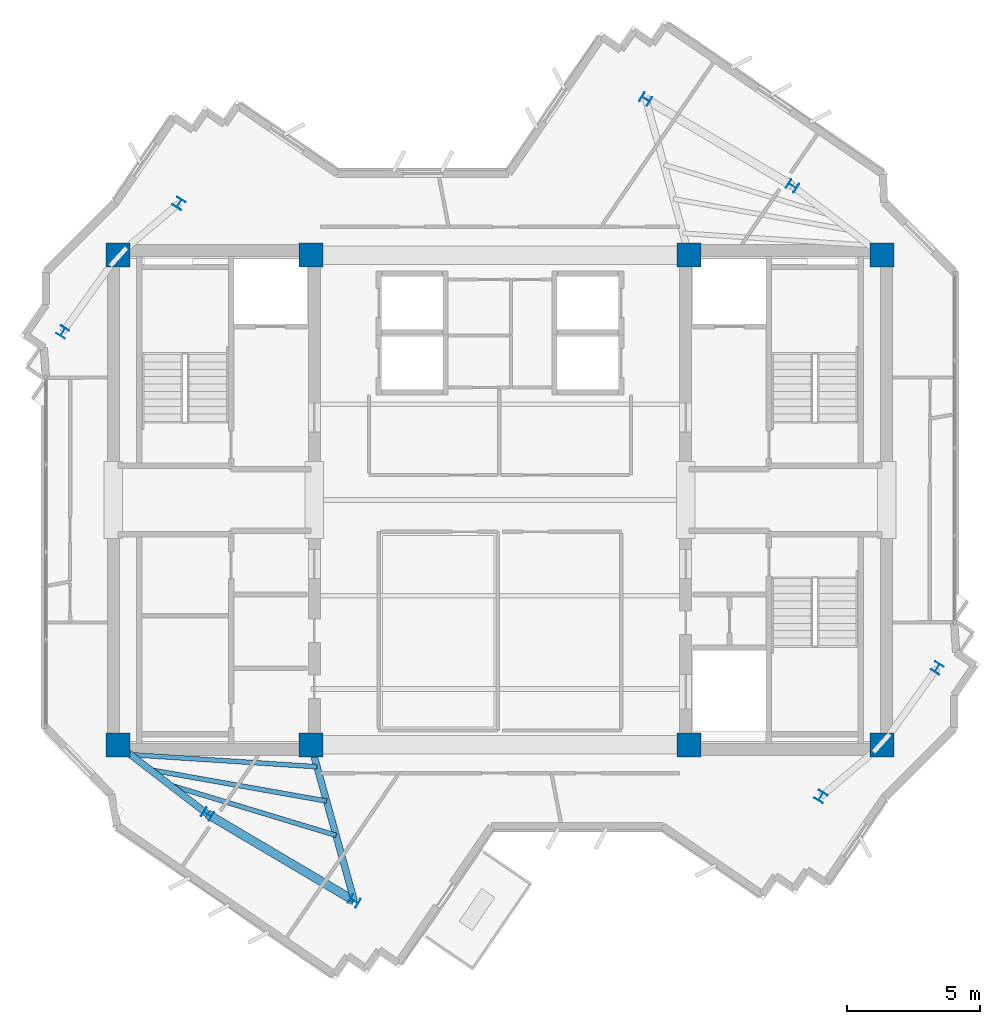
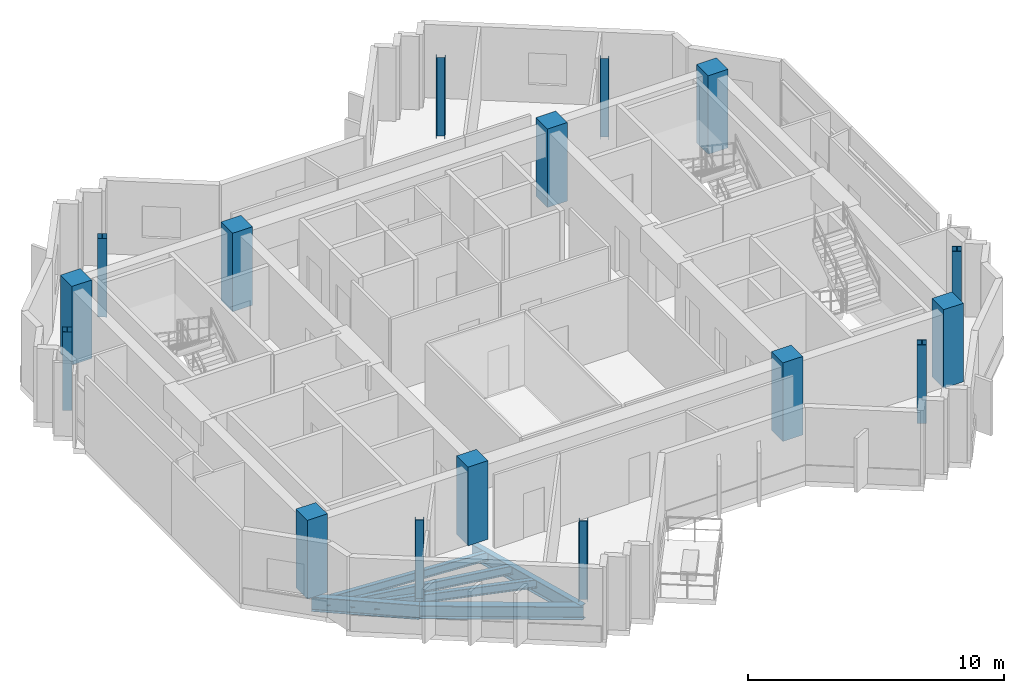
# One storey, part 1 of 11: 16 columns, 6 beams.
"""IFC4 building model written with IfcOpenShell, lengths in metres."""

from ifc_helpers import new_model, si_unit, direction, frame, origin, origin_2d, place, context, subcontext, project, spatial, rectangle, i_section, extrude, source, transform, mapped, material, material_profile, profile_set, type_object, element, save


model = new_model("IFC4")

# Units and contexts
model_context = context("Model", 3, precision=1e-05, world=origin(), true_north=direction((0.0, 1.0)))
body_context = subcontext(model_context, "Body", "Model", "MODEL_VIEW")
ifc_project = project(units=[si_unit("LENGTHUNIT", "METRE"), si_unit("AREAUNIT", "SQUARE_METRE"), si_unit("VOLUMEUNIT", "CUBIC_METRE"), si_unit("PLANEANGLEUNIT", "RADIAN"), si_unit("MASSUNIT", "GRAM", prefix="KILO")], contexts=[model_context])

# Site, building, storey
site_placement = place(None, origin())
site = spatial("IfcSite", under=ifc_project, at=site_placement, CompositionType="ELEMENT")
building_placement = place(site_placement, origin())
building = spatial("IfcBuilding", under=site, at=building_placement, Name="Zahravan Cultural Tower", CompositionType="ELEMENT")
storey_placement = place(building_placement, frame((0.0, 0.0, 338.550048828125)))
storey = spatial("IfcBuildingStorey", under=building, at=storey_placement, Name="L82", CompositionType="ELEMENT", Elevation=338.550048828125)

# Columns
ifc_material_1 = material(Name="Concrete C50/60", Category="concrete")
ifc_material_profile_1 = material_profile(ifc_material_1, rectangle(XDim=0.89990234375, YDim=0.89990234375, at=origin_2d()), Name="RC900X900")
ifc_profile_set_1 = profile_set([ifc_material_profile_1], Name="Concrete C50/60")
column_type_1 = type_object("IfcColumnType", Name="COL-RC900", PredefinedType="COLUMN", material=ifc_profile_set_1)
shared_shape_1 = source(origin(), body_context, "Body", "SweptSolid", [
    extrude(rectangle(XDim=0.89990234375, YDim=0.89990234375, at=origin_2d()), origin(), (0.0, 0.0, 1.0), 3.75),
])
for number, where, z_axis, x_axis, name in (
    (1, (21.64990234375, 17.800048828125, 0.0), (0.0, 0.0, 1.0), (1.0, 0.0, 0.0), "L82 Column CC-W1"),
    (2, (28.89990234375, 17.800048828125, 0.0), (0.0, 0.0, 1.0), (1.0, 0.0, 0.0), "L82 Column CC-W2"),
    (3, (21.64990234375, 36.199951171875, 0.0), (0.0, 0.0, 1.0), (1.0, 0.0, 0.0), "L82 Column CC-W3"),
    (4, (28.89990234375, 36.199951171875, 0.0), (0.0, 0.0, 1.0), (1.0, 0.0, 0.0), "L82 Column CC-W4"),
    (5, (43.10009765625, 17.800048828125, 0.0), (0.0, 0.0, 1.0), (1.0, 0.0, 0.0), "L82 Column CC-E1"),
    (6, (50.35009765625, 17.800048828125, 0.0), (0.0, 0.0, 1.0), (1.0, 0.0, 0.0), "L82 Column CC-E2"),
    (7, (43.10009765625, 36.199951171875, 0.0), (0.0, 0.0, 1.0), (1.0, 0.0, 0.0), "L82 Column CC-E3"),
    (8, (50.35009765625, 36.199951171875, 0.0), (0.0, 0.0, 1.0), (1.0, 0.0, 0.0), "L82 Column CC-E4"),
):
    element("IfcColumn", number, at=place(storey_placement, frame(where, z_axis=z_axis, x_axis=x_axis)), inside=storey, type_object=column_type_1, Name=name, PredefinedType="COLUMN", context=body_context, shape_type="MappedRepresentation", body=[
        mapped(shared_shape_1, transform((0.0, 0.0, 0.0), x_axis=(1.0, 0.0, 0.0), y_axis=(0.0, 1.0, 0.0), z_axis=(0.0, 0.0, 1.0), scale=1.0)),
    ])
ifc_material_2 = material(Name="Steel ASTM A992 Grade 50", Category="steel")
ifc_material_profile_2 = material_profile(ifc_material_2, i_section(OverallWidth=0.368896484375, OverallDepth=0.35595703125, WebThickness=0.01123046875, FlangeThickness=0.01806640625, FilletRadius=0.01806640625, at=origin_2d()), Name="W14X90")
ifc_profile_set_2 = profile_set([ifc_material_profile_2], Name="Steel ASTM A992 Grade 50")
column_type_2 = type_object("IfcColumnType", Name="COL-W14X90", PredefinedType="COLUMN", material=ifc_profile_set_2)
shared_shape_2 = source(origin(), body_context, "Body", "SweptSolid", [
    extrude(i_section(OverallWidth=0.368896484375, OverallDepth=0.35595703125, WebThickness=0.01123046875, FlangeThickness=0.01806640625, FilletRadius=0.01806640625, at=origin_2d()), origin(), (0.0, 0.0, 1.0), 3.75),
])
for number, where, z_axis, x_axis, name in (
    (9, (46.98388671875, 38.7998046875, 0.0), (0.0, 0.0, 1.0), (0.522498564716, 0.852640164354, 0.0), "L82 Column Z4C-E1"),
    (10, (41.474853515625, 42.058349609375, 0.0), (0.0, 0.0, 1.0), (0.522498564716, 0.852640164354, 0.0), "L82 Column Z4C-E2"),
    (11, (23.944580078125, 38.140625, 0.0), (0.0, 0.0, 1.0), (-0.852640164354, 0.522498564716, 0.0), "L82 Column Z4C-N1"),
    (12, (19.577392578125, 33.310791015625, 0.0), (0.0, 0.0, 1.0), (-0.852640164354, 0.522498564716, 0.0), "L82 Column Z4C-N2"),
    (13, (25.01611328125, 15.2001953125, 0.0), (0.0, 0.0, 1.0), (0.522498564716, 0.852640164354, 0.0), "L82 Column Z4C-W1"),
    (14, (30.525146484375, 11.941650390625, 0.0), (0.0, 0.0, 1.0), (0.522498564716, 0.852640164354, 0.0), "L82 Column Z4C-W2"),
    (15, (48.055419921875, 15.859375, 0.0), (0.0, 0.0, 1.0), (-0.852640164354, 0.522498564716, 0.0), "L82 Column Z4C-S1"),
    (16, (52.422607421875, 20.689208984375, 0.0), (0.0, 0.0, 1.0), (-0.852640164354, 0.522498564716, 0.0), "L82 Column Z4C-S2"),
):
    element("IfcColumn", number, at=place(storey_placement, frame(where, z_axis=z_axis, x_axis=x_axis)), inside=storey, type_object=column_type_2, Name=name, PredefinedType="COLUMN", context=body_context, shape_type="MappedRepresentation", body=[
        mapped(shared_shape_2, transform((0.0, 0.0, 0.0), x_axis=(1.0, 0.0, 0.0), y_axis=(0.0, 1.0, 0.0), z_axis=(0.0, 0.0, 1.0), scale=1.0)),
    ])

# Beams
ifc_material_profile_3 = material_profile(ifc_material_2, i_section(OverallWidth=0.326904296875, OverallDepth=0.6220703125, WebThickness=0.015380859375, FlangeThickness=0.0244140625, FilletRadius=0.014892578125, at=origin_2d()), Name="W24X131")
ifc_profile_set_3 = profile_set([ifc_material_profile_3], Name="Steel ASTM A992 Grade 50")
beam_type_1 = type_object("IfcBeamType", Name="BM-SP-W24X131", PredefinedType="SPANDREL", material=ifc_profile_set_3)
shared_shape_3 = source(origin(), body_context, "Body", "SweptSolid", [
    extrude(i_section(OverallWidth=0.326904296875, OverallDepth=0.6220703125, WebThickness=0.015380859375, FlangeThickness=0.0244140625, FilletRadius=0.014892578125, at=origin_2d()), origin(), (0.0, 0.0, 1.0), 6.400634765625),
])
beam_1_placement = place(storey_placement, frame((25.01611328125, 15.2001953125, -0.56103515625), z_axis=(0.860706991833, -0.509100652337, 0.0), x_axis=(0.509100652337, 0.860706991833, 0.0)))
element("IfcBeam", 17, at=beam_1_placement, inside=storey, type_object=beam_type_1, Name="L82 Beam SP-L82-15", PredefinedType="SPANDREL", context=body_context, shape_type="MappedRepresentation", body=[
    mapped(shared_shape_3, transform((0.0, 0.0, 0.0), x_axis=(1.0, 0.0, 0.0), y_axis=(0.0, 1.0, 0.0), z_axis=(0.0, 0.0, 1.0), scale=1.0)),
])
ifc_material_profile_4 = material_profile(ifc_material_2, i_section(OverallWidth=0.177978515625, OverallDepth=0.406005859375, WebThickness=0.0078125, FlangeThickness=0.0126953125, FilletRadius=0.011962890625, at=origin_2d()), Name="W16X40")
ifc_profile_set_4 = profile_set([ifc_material_profile_4], Name="Steel ASTM A992 Grade 50")
beam_type_2 = type_object("IfcBeamType", Name="BM-J-W16X40", PredefinedType="JOIST", material=ifc_profile_set_4)
shared_shape_4 = source(origin(), body_context, "Body", "SweptSolid", [
    extrude(i_section(OverallWidth=0.177978515625, OverallDepth=0.406005859375, WebThickness=0.0078125, FlangeThickness=0.0126953125, FilletRadius=0.011962890625, at=origin_2d()), origin(), (0.0, 0.0, 1.0), 7.02099609375),
])
beam_2_placement = place(storey_placement, frame((22.121337890625, 17.43603515625, -0.453125), z_axis=(0.99788584579, -0.064991066863, 0.0), x_axis=(0.064991066863, 0.99788584579, 0.0)))
element("IfcBeam", 18, at=beam_2_placement, inside=storey, type_object=beam_type_2, Name="L82 Beam BJ-L82-24", PredefinedType="JOIST", context=body_context, shape_type="MappedRepresentation", body=[
    mapped(shared_shape_4, transform((0.0, 0.0, 0.0), x_axis=(1.0, 0.0, 0.0), y_axis=(0.0, 1.0, 0.0), z_axis=(0.0, 0.0, 1.0), scale=1.0)),
])
shared_shape_5 = source(origin(), body_context, "Body", "SweptSolid", [
    extrude(i_section(OverallWidth=0.177978515625, OverallDepth=0.406005859375, WebThickness=0.0078125, FlangeThickness=0.0126953125, FilletRadius=0.011962890625, at=origin_2d()), origin(), (0.0, 0.0, 1.0), 6.726318359375),
])
beam_3_placement = place(storey_placement, frame((22.86181640625, 16.864013671875, -0.453125), z_axis=(0.98467447748, -0.17440233198, 0.0), x_axis=(0.17440233198, 0.98467447748, 0.0)))
element("IfcBeam", 19, at=beam_3_placement, inside=storey, type_object=beam_type_2, Name="L82 Beam BJ-L82-26", PredefinedType="JOIST", context=body_context, shape_type="MappedRepresentation", body=[
    mapped(shared_shape_5, transform((0.0, 0.0, 0.0), x_axis=(1.0, 0.0, 0.0), y_axis=(0.0, 1.0, 0.0), z_axis=(0.0, 0.0, 1.0), scale=1.0)),
])
shared_shape_6 = source(origin(), body_context, "Body", "SweptSolid", [
    extrude(i_section(OverallWidth=0.177978515625, OverallDepth=0.406005859375, WebThickness=0.0078125, FlangeThickness=0.0126953125, FilletRadius=0.011962890625, at=origin_2d()), origin(), (0.0, 0.0, 1.0), 6.520263671875),
])
beam_4_placement = place(storey_placement, frame((23.602294921875, 16.292236328125, -0.453125), z_axis=(0.957060297679, -0.289888921151, 0.0), x_axis=(0.289888921151, 0.957060297679, 0.0)))
element("IfcBeam", 20, at=beam_4_placement, inside=storey, type_object=beam_type_2, Name="L82 Beam BJ-L82-28", PredefinedType="JOIST", context=body_context, shape_type="MappedRepresentation", body=[
    mapped(shared_shape_6, transform((0.0, 0.0, 0.0), x_axis=(1.0, 0.0, 0.0), y_axis=(0.0, 1.0, 0.0), z_axis=(0.0, 0.0, 1.0), scale=1.0)),
])
ifc_material_profile_5 = material_profile(ifc_material_2, i_section(OverallWidth=0.25390625, OverallDepth=0.68798828125, WebThickness=0.01318359375, FlangeThickness=0.02099609375, FilletRadius=0.01806640625, at=origin_2d()), Name="W27X102")
ifc_profile_set_5 = profile_set([ifc_material_profile_5], Name="Steel ASTM A992 Grade 50")
beam_type_3 = type_object("IfcBeamType", Name="BM-G-W27X102", PredefinedType="BEAM", material=ifc_profile_set_5)
shared_shape_7 = source(origin(), body_context, "Body", "SweptSolid", [
    extrude(i_section(OverallWidth=0.25390625, OverallDepth=0.68798828125, WebThickness=0.01318359375, FlangeThickness=0.02099609375, FilletRadius=0.01806640625, at=origin_2d()), origin(), (0.0, 0.0, 1.0), 4.25341796875),
])
beam_5_placement = place(storey_placement, frame((21.64990234375, 17.800048828125, -0.593994140625), z_axis=(0.791433936253, -0.611254713313, 0.0), x_axis=(0.611254713313, 0.791433936253, 0.0)))
element("IfcBeam", 21, at=beam_5_placement, inside=storey, type_object=beam_type_3, Name="L82 Beam BG-L82-07", PredefinedType="BEAM", context=body_context, shape_type="MappedRepresentation", body=[
    mapped(shared_shape_7, transform((0.0, 0.0, 0.0), x_axis=(1.0, 0.0, 0.0), y_axis=(0.0, 1.0, 0.0), z_axis=(0.0, 0.0, 1.0), scale=1.0)),
])
shared_shape_8 = source(origin(), body_context, "Body", "SweptSolid", [
    extrude(i_section(OverallWidth=0.25390625, OverallDepth=0.68798828125, WebThickness=0.01318359375, FlangeThickness=0.02099609375, FilletRadius=0.01806640625, at=origin_2d()), origin(), (0.0, 0.0, 1.0), 6.07958984375),
])
beam_6_placement = place(storey_placement, frame((28.89990234375, 17.800048828125, -0.593994140625), z_axis=(0.267324894686, -0.963606455292, 0.0), x_axis=(0.963606455292, 0.267324894686, 0.0)))
element("IfcBeam", 22, at=beam_6_placement, inside=storey, type_object=beam_type_3, Name="L82 Beam BG-L82-08", PredefinedType="BEAM", context=body_context, shape_type="MappedRepresentation", body=[
    mapped(shared_shape_8, transform((0.0, 0.0, 0.0), x_axis=(1.0, 0.0, 0.0), y_axis=(0.0, 1.0, 0.0), z_axis=(0.0, 0.0, 1.0), scale=1.0)),
])

save(model, "model.ifc")
